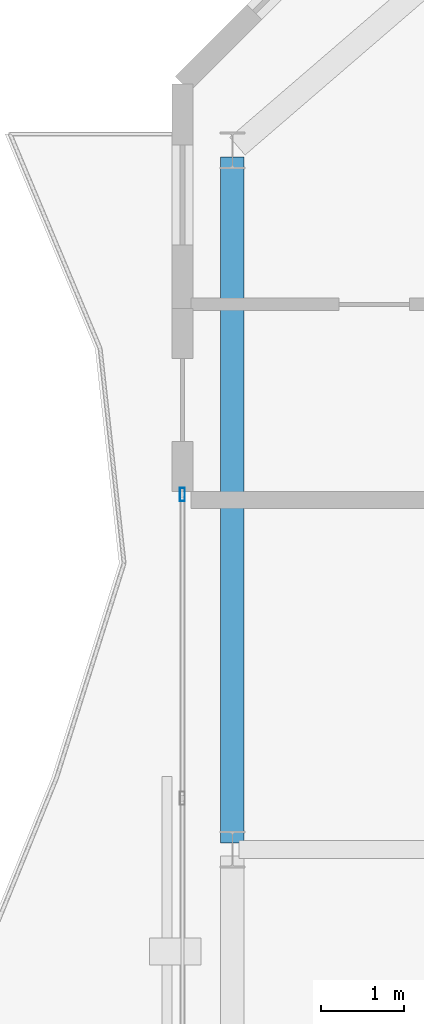
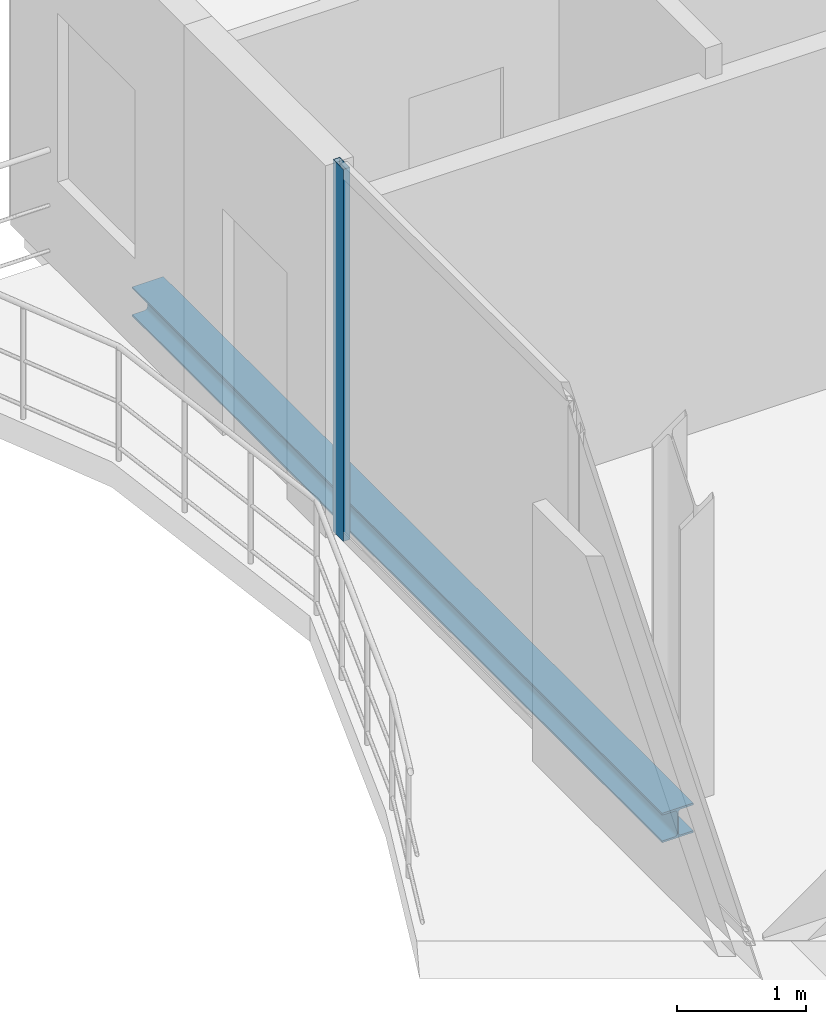
# One storey, part 12 of 22: 1 beam, 1 member, 1 element without a shape of its own.
"""IFC4 building model written with IfcOpenShell, lengths in metres."""

from ifc_helpers import new_model, si_unit, direction, frame, origin, origin_2d, place, context, subcontext, project, spatial, hollow_rectangle, i_section, extrude, material, layer, layer_set, material_profile, profile_set, type_object, element, aggregate, save


model = new_model("IFC4")

# Units and contexts
model_context = context("Model", 3, precision=1e-05, world=origin(), true_north=direction((0.0, 1.0)))
body_context = subcontext(model_context, "Body", "Model", "MODEL_VIEW")
ifc_project = project(units=[si_unit("LENGTHUNIT", "METRE"), si_unit("AREAUNIT", "SQUARE_METRE"), si_unit("VOLUMEUNIT", "CUBIC_METRE"), si_unit("PLANEANGLEUNIT", "RADIAN"), si_unit("MASSUNIT", "GRAM", prefix="KILO")], contexts=[model_context])

# Site, building, storey
site_placement = place(None, origin())
site = spatial("IfcSite", under=ifc_project, at=site_placement, CompositionType="ELEMENT")
building_placement = place(site_placement, origin())
building = spatial("IfcBuilding", under=site, at=building_placement, Name="Catumbela Crestline Tower", CompositionType="ELEMENT")
storey_placement = place(building_placement, frame((0.0, 0.0, 233.6)))
storey = spatial("IfcBuildingStorey", under=building, at=storey_placement, Name="L60", CompositionType="ELEMENT", Elevation=233.6)

# Curtain wall, member
ifc_material_1 = material(Name="Aluminium alloy AW-6060-T66", Category="aluminium")
ifc_layer = layer(ifc_material_1, 0.18, Name="Aluminium alloy AW-6060-T66")
ifc_layer_set = layer_set([ifc_layer], Name="Aluminium alloy AW-6060-T66")
curtain_wall_type = type_object("IfcCurtainWallType", Name="CWU-Z4", PredefinedType="USERDEFINED", material=ifc_layer_set)
curtain_wall_placement = place(storey_placement, origin())
curtain_wall = element("IfcCurtainWall", 1, at=curtain_wall_placement, inside=storey, type_object=curtain_wall_type, Name="L60 Unitised Curtain Wall CW-L60-E9S2", ObjectType="UNITISED", PredefinedType="USERDEFINED")
ifc_material_profile_1 = material_profile(ifc_material_1, hollow_rectangle(XDim=0.06, YDim=0.16, WallThickness=0.004, at=origin_2d()), Name="ALU 160x60x4")
ifc_profile_set_1 = profile_set([ifc_material_profile_1], Name="Aluminium alloy AW-6060-T66")
member_type = type_object("IfcMemberType", Name="MUL-160X60", PredefinedType="MULLION", material=ifc_profile_set_1)
member_placement = place(storey_placement, frame((5.0, 35.0675, 0.0), z_axis=(0.0, 0.0, 1.0), x_axis=(1.0, 0.0, 0.0)))
member = element("IfcMember", 2, at=member_placement, type_object=member_type, Name="CWU-Z4 mullion 1", PredefinedType="MULLION", context=body_context, shape_type="SweptSolid", body=[
    extrude(hollow_rectangle(XDim=0.06, YDim=0.16, WallThickness=0.004, at=origin_2d()), origin(), (0.0, 0.0, 1.0), 3.53),
])
aggregate(curtain_wall, [member])

# Beam
ifc_material_2 = material(Name="Structural steel S355J2", Category="steel")
ifc_material_profile_2 = material_profile(ifc_material_2, i_section(OverallWidth=0.28, OverallDepth=0.28, WebThickness=0.0105, FlangeThickness=0.018, FilletRadius=0.024, at=origin_2d()), Name="HEB 280")
ifc_profile_set_2 = profile_set([ifc_material_profile_2], Name="Structural steel S355J2")
beam_type = type_object("IfcBeamType", Name="BS-HEB280", PredefinedType="SPANDREL", material=ifc_profile_set_2)
beam_placement = place(storey_placement, frame((5.6, 30.88, -0.4), z_axis=(0.0, 1.0, 0.0), x_axis=(-1.0, 0.0, 0.0)))
element("IfcBeam", 3, at=beam_placement, inside=storey, type_object=beam_type, Name="L60 Spandrel SP-L60-SN13", PredefinedType="SPANDREL", context=body_context, shape_type="SweptSolid", body=[
    extrude(i_section(OverallWidth=0.28, OverallDepth=0.28, WebThickness=0.0105, FlangeThickness=0.018, FilletRadius=0.024, at=origin_2d()), origin(), (0.0, 0.0, 1.0), 8.24),
])

save(model, "model.ifc")
